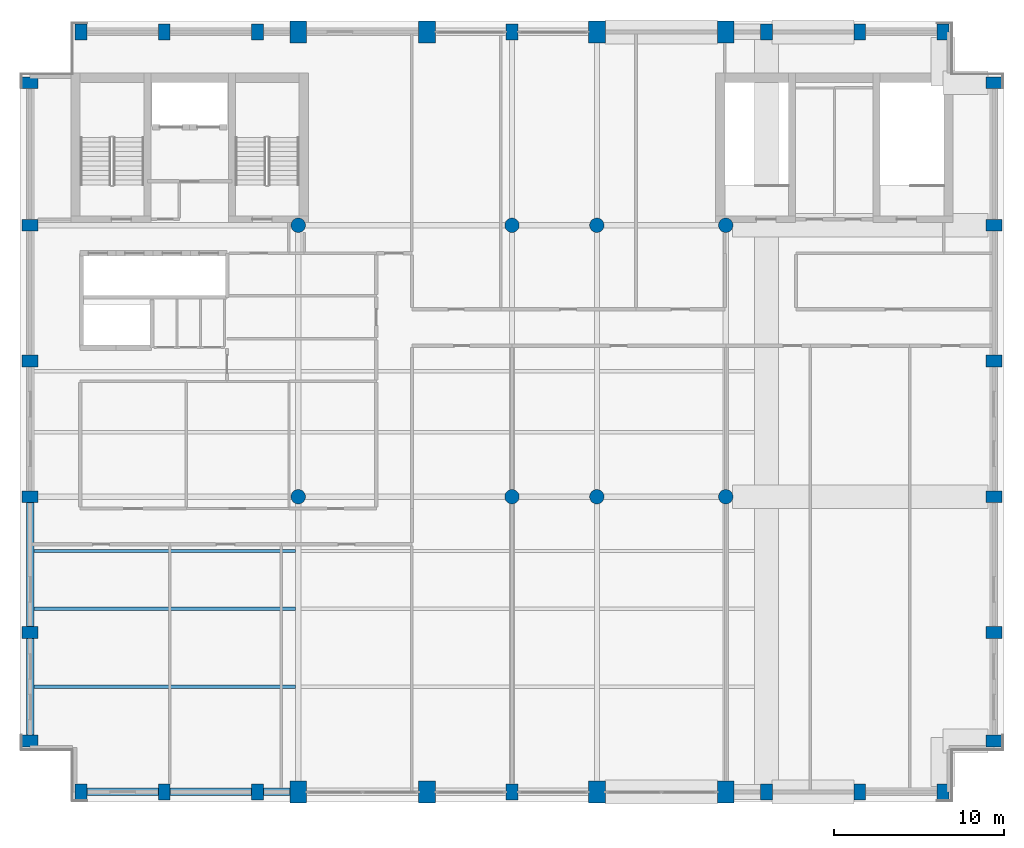
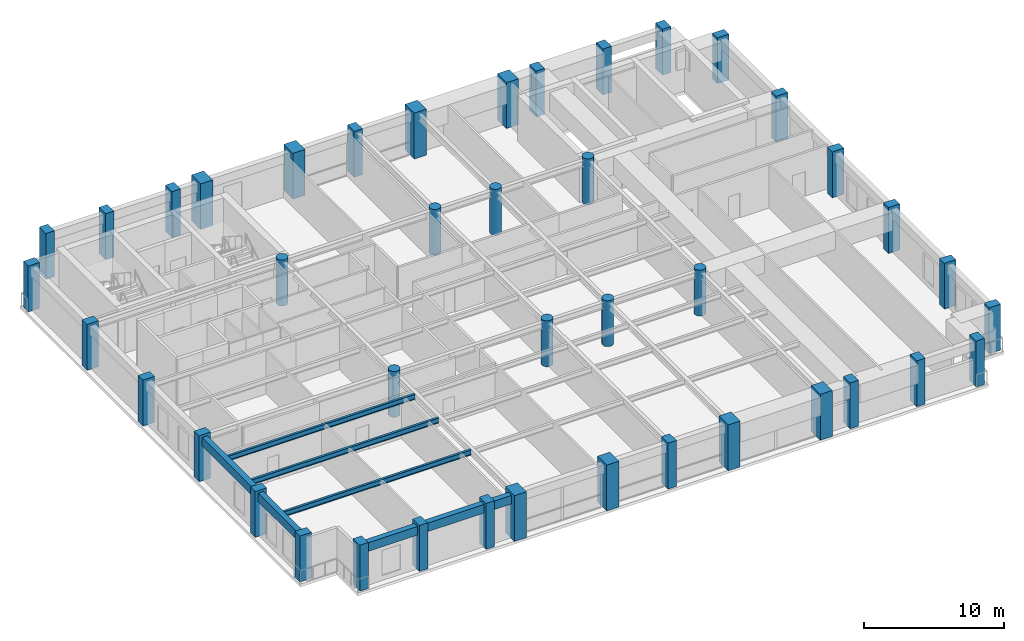
# One storey, part 1 of 14: 42 columns, 8 beams.
"""IFC4 building model written with IfcOpenShell, lengths in metres."""

import ifcopenshell
import ifcopenshell.guid

model = None  # the IFC model being written
_history = None  # IfcOwnerHistory: only IFC2X3 demands one
_inside = {}  # id of a spatial element -> (the spatial element, [elements in it])
_under = {}  # id of a project, library or spatial element -> (it, [spatial elements below it])
_declared = {}  # id of a project -> (the project, [libraries it declares])
_typed = {}  # id of a type object -> (the type object, [elements of that type])
_made_of = {}  # id of a material, layer set ... -> (it, [elements and type objects made of it])


def new_model(schema):
    """Start an empty IFC model of exactly this schema.

    Asked for "IFC4X3", IfcOpenShell would pick the latest addendum, in which some entities
    have other attributes; the version numbers below select the first issue.
    IFC2X3 requires an IfcOwnerHistory on every rooted entity: one is made here for all.
    """
    global model, _history
    if schema == "IFC4X3":
        model = ifcopenshell.file(schema_version=(4, 3, 0, 0))
    else:
        model = ifcopenshell.file(schema=schema)
    _inside.clear()
    _under.clear()
    _declared.clear()
    _typed.clear()
    _made_of.clear()
    _history = None
    if model.schema == "IFC2X3":
        org = make("IfcOrganization", Name="unknown")
        user = make(
            "IfcPersonAndOrganization",
            ThePerson=make("IfcPerson", FamilyName="unknown"),
            TheOrganization=org,
        )
        app = make(
            "IfcApplication",
            ApplicationDeveloper=org,
            Version="unknown",
            ApplicationFullName="unknown",
            ApplicationIdentifier="unknown",
        )
        _history = make(
            "IfcOwnerHistory",
            OwningUser=user,
            OwningApplication=app,
            ChangeAction="ADDED",
            CreationDate=0,
        )
    return model


def make(cls, **values):
    """One entity of the class cls with the attributes given. An attribute that is None is left unset."""
    return model.create_entity(
        cls, **{name: value for name, value in values.items() if value is not None}
    )


def rooted(cls, **values):
    """An entity with a GlobalId (a new one), such as an element, a storey or a relation."""
    return make(cls, GlobalId=ifcopenshell.guid.new(), OwnerHistory=_history, **values)


def si_unit(unit_type, name, prefix=None):
    """IfcSIUnit, for example si_unit("LENGTHUNIT", "METRE", prefix="MILLI")."""
    return make("IfcSIUnit", UnitType=unit_type, Prefix=prefix, Name=name)


def assignment(units):
    """IfcUnitAssignment: the units of a project."""
    return None if units is None else make("IfcUnitAssignment", Units=units)


def point(xyz):
    """IfcCartesianPoint."""
    return None if xyz is None else make("IfcCartesianPoint", Coordinates=xyz)


def direction(xyz):
    """IfcDirection."""
    return None if xyz is None else make("IfcDirection", DirectionRatios=xyz)


def frame(location, z_axis=None, x_axis=None):
    """IfcAxis2Placement3D, a coordinate frame: its origin and axes. An axis left out is left unset."""
    return make(
        "IfcAxis2Placement3D",
        Location=point(location),
        Axis=direction(z_axis),
        RefDirection=direction(x_axis),
    )


def frame_2d(location, x_axis=None):
    """IfcAxis2Placement2D, a coordinate frame in the plane: its origin and x axis."""
    return make(
        "IfcAxis2Placement2D", Location=point(location), RefDirection=direction(x_axis)
    )


def origin():
    """The frame at (0, 0, 0) with its axes left unset."""
    return frame((0.0, 0.0, 0.0))


def origin_2d():
    """The frame at (0, 0) in the plane with its x axis left unset."""
    return frame_2d((0.0, 0.0))


def place(relative_to, where):
    """IfcLocalPlacement: puts the frame where relative to a parent placement (None: the world)."""
    return make(
        "IfcLocalPlacement", PlacementRelTo=relative_to, RelativePlacement=where
    )


def context(
    kind, dimensions, precision=None, world=None, true_north=None, identifier=None
):
    """IfcGeometricRepresentationContext, for example the 3D "Model" context."""
    return make(
        "IfcGeometricRepresentationContext",
        ContextIdentifier=identifier,
        ContextType=kind,
        CoordinateSpaceDimension=dimensions,
        Precision=precision,
        WorldCoordinateSystem=world,
        TrueNorth=true_north,
    )


def subcontext(parent, identifier, kind, view, scale=None):
    """IfcGeometricRepresentationSubContext, for example "Body" below "Model"."""
    return make(
        "IfcGeometricRepresentationSubContext",
        ContextIdentifier=identifier,
        ContextType=kind,
        ParentContext=parent,
        TargetScale=scale,
        TargetView=view,
    )


def project(units=None, contexts=None):
    """IfcProject with its units and contexts."""
    return rooted(
        "IfcProject",
        Name="project",
        RepresentationContexts=contexts,
        UnitsInContext=assignment(units),
    )


def spatial(cls, under=None, at=None, **own):
    """A site, building, storey or space (cls), placed at a placement, below another one or the project."""
    s = rooted(cls, ObjectPlacement=at, **own)
    if under is not None:
        _under.setdefault(under.id(), (under, []))[1].append(s)
    return s


def profile(cls, at=None, kind="AREA", **sizes):
    """A parametric profile (cls). Its sizes go by their IFC names, for example OverallWidth=200.0."""
    return make(cls, ProfileType=kind, Position=at, **sizes)


def rectangle(**sizes):
    """IfcRectangleProfileDef."""
    return profile("IfcRectangleProfileDef", **sizes)


def circle(**sizes):
    """IfcCircleProfileDef."""
    return profile("IfcCircleProfileDef", **sizes)


def i_section(**sizes):
    """IfcIShapeProfileDef."""
    return profile("IfcIShapeProfileDef", **sizes)


def extrude(swept, where, along, depth):
    """IfcExtrudedAreaSolid: the profile swept, set in the frame where, extruded along a direction by depth."""
    return make(
        "IfcExtrudedAreaSolid",
        SweptArea=swept,
        Position=where,
        ExtrudedDirection=direction(along),
        Depth=depth,
    )


def shape(context_of_items, identifier, shape_type, items):
    """IfcShapeRepresentation: the items that make up one representation, for example the "Body"."""
    return make(
        "IfcShapeRepresentation",
        ContextOfItems=context_of_items,
        RepresentationIdentifier=identifier,
        RepresentationType=shape_type,
        Items=items,
    )


def material(Name=None, Category=None):
    """IfcMaterial."""
    return make("IfcMaterial", Name=Name, Category=Category)


def material_profile(
    of_material, cross_section, Name=None, Category=None, Priority=None
):
    """IfcMaterialProfile: a cross section and its material."""
    return make(
        "IfcMaterialProfile",
        Name=Name,
        Material=of_material,
        Profile=cross_section,
        Priority=Priority,
        Category=Category,
    )


def profile_set(profiles, Name=None, composite=None):
    """IfcMaterialProfileSet."""
    return make(
        "IfcMaterialProfileSet",
        Name=Name,
        MaterialProfiles=profiles,
        CompositeProfile=composite,
    )


def made_of(thing, what):
    """Note that an element or type object is made of a material, layer set ...; save() writes the relation."""
    if what is not None:
        _made_of.setdefault(what.id(), (what, []))[1].append(thing)
    return thing


def type_object(cls, material=None, **own):
    """A type object (cls), such as IfcWallType, which elements share."""
    return made_of(rooted(cls, **own), material)


def element(
    cls,
    number,
    at=None,
    inside=None,
    cuts=None,
    type_object=None,
    material=None,
    context=None,
    identifier="Body",
    shape_type=None,
    held_by="IfcProductDefinitionShape",
    body=None,
    shapes=None,
    **own,
):
    """One element of the class cls, such as IfcWall. Its Tag is "e" and its number.

    at: its placement. inside: the storey or other place that contains it. cuts: it is an
    opening in that element (IfcRelVoidsElement). A single representation is given by context,
    identifier, shape_type and body (its items); several are given by shapes. held_by: the class
    of the entity that holds the representations. save() writes the other relations.
    """
    e = rooted(cls, Tag="e%d" % number, ObjectPlacement=at, **own)
    if body is not None:
        shapes = [shape(context, identifier, shape_type, body)]
    if shapes is not None:
        e.Representation = make(held_by, Representations=shapes)
    if inside is not None:
        _inside.setdefault(inside.id(), (inside, []))[1].append(e)
    if cuts is not None:
        rooted(
            "IfcRelVoidsElement", RelatingBuildingElement=cuts, RelatedOpeningElement=e
        )
    if type_object is not None:
        _typed.setdefault(type_object.id(), (type_object, []))[1].append(e)
    return made_of(e, material)


def aggregate(whole, parts):
    """IfcRelAggregates: a whole, such as a stair, and the parts it consists of."""
    return rooted("IfcRelAggregates", RelatingObject=whole, RelatedObjects=parts)


def save(model, path):
    """Write the relations noted so far, then the file.

    IfcRelAggregates (storeys below a building ...), IfcRelContainedInSpatialStructure (elements
    in a storey), IfcRelDefinesByType, IfcRelAssociatesMaterial and IfcRelDeclares: one each for
    every whole, place, type object, material and project.
    """
    for whole, parts in _under.values():
        aggregate(whole, parts)
    for where, things in _inside.values():
        rooted(
            "IfcRelContainedInSpatialStructure",
            RelatedElements=things,
            RelatingStructure=where,
        )
    for kind, things in _typed.values():
        rooted("IfcRelDefinesByType", RelatedObjects=things, RelatingType=kind)
    for what, things in _made_of.values():
        rooted("IfcRelAssociatesMaterial", RelatedObjects=things, RelatingMaterial=what)
    for by, libraries in _declared.values():
        rooted("IfcRelDeclares", RelatingContext=by, RelatedDefinitions=libraries)
    model.write(path)


model = new_model("IFC4")

# Units and contexts
model_context = context("Model", 3, precision=1e-05, world=origin(), true_north=direction((0.0, 1.0)))
body_context = subcontext(model_context, "Body", "Model", "MODEL_VIEW")
ifc_project = project(units=[si_unit("LENGTHUNIT", "METRE"), si_unit("AREAUNIT", "SQUARE_METRE"), si_unit("VOLUMEUNIT", "CUBIC_METRE"), si_unit("PLANEANGLEUNIT", "RADIAN"), si_unit("MASSUNIT", "GRAM", prefix="KILO")], contexts=[model_context])

# Site, building, storey
site_placement = place(None, origin())
site = spatial("IfcSite", under=ifc_project, at=site_placement, CompositionType="ELEMENT")
building_placement = place(site_placement, origin())
building = spatial("IfcBuilding", under=site, at=building_placement, Name="Sulina Concourse Tower", CompositionType="ELEMENT")
storey_placement = place(building_placement, frame((0.0, 0.0, 285.0)))
storey = spatial("IfcBuildingStorey", under=building, at=storey_placement, Name="L69", CompositionType="ELEMENT", Elevation=285.0)

# Columns
ifc_material_1 = material(Name="Precast concrete C50/60", Category="concrete")
ifc_material_profile_1 = material_profile(ifc_material_1, rectangle(XDim=0.699951171875, YDim=0.949951171875, at=origin_2d()), Name="PC 700x950")
ifc_profile_set_1 = profile_set([ifc_material_profile_1], Name="Precast concrete C50/60")
column_type_1 = type_object("IfcColumnType", Name="Precast Tube Pier Zone 5 700x950", PredefinedType="COLUMN", material=ifc_profile_set_1)
for number, where, z_axis, x_axis, name in (
    (1, (3.60009765625, 0.60009765625, 0.0), (0.0, 0.0, 1.0), (1.0, 0.0, 0.0), "L69 structural column TP-S-36"),
    (2, (3.60009765625, 45.39990234375, 0.0), (0.0, 0.0, 1.0), (1.0, 0.0, 0.0), "L69 structural column TP-N-36"),
    (3, (8.5, 0.60009765625, 0.0), (0.0, 0.0, 1.0), (1.0, 0.0, 0.0), "L69 structural column TP-S-85"),
    (4, (8.5, 45.39990234375, 0.0), (0.0, 0.0, 1.0), (1.0, 0.0, 0.0), "L69 structural column TP-N-85"),
    (5, (14.0, 0.60009765625, 0.0), (0.0, 0.0, 1.0), (1.0, 0.0, 0.0), "L69 structural column TP-S-140"),
    (6, (14.0, 45.39990234375, 0.0), (0.0, 0.0, 1.0), (1.0, 0.0, 0.0), "L69 structural column TP-N-140"),
    (7, (29.0, 0.60009765625, 0.0), (0.0, 0.0, 1.0), (1.0, 0.0, 0.0), "L69 structural column TP-S-290"),
    (8, (29.0, 45.39990234375, 0.0), (0.0, 0.0, 1.0), (1.0, 0.0, 0.0), "L69 structural column TP-N-290"),
    (9, (44.0, 0.60009765625, 0.0), (0.0, 0.0, 1.0), (1.0, 0.0, 0.0), "L69 structural column TP-S-440"),
    (10, (44.0, 45.39990234375, 0.0), (0.0, 0.0, 1.0), (1.0, 0.0, 0.0), "L69 structural column TP-N-440"),
    (11, (49.5, 0.60009765625, 0.0), (0.0, 0.0, 1.0), (1.0, 0.0, 0.0), "L69 structural column TP-S-495"),
    (12, (49.5, 45.39990234375, 0.0), (0.0, 0.0, 1.0), (1.0, 0.0, 0.0), "L69 structural column TP-N-495"),
    (13, (54.39990234375, 0.60009765625, 0.0), (0.0, 0.0, 1.0), (1.0, 0.0, 0.0), "L69 structural column TP-S-544"),
    (14, (54.39990234375, 45.39990234375, 0.0), (0.0, 0.0, 1.0), (1.0, 0.0, 0.0), "L69 structural column TP-N-544"),
    (15, (0.60009765625, 3.60009765625, 0.0), (0.0, 0.0, 1.0), (0.0, 1.0, 0.0), "L69 structural column TP-W-36"),
    (16, (57.39990234375, 3.60009765625, 0.0), (0.0, 0.0, 1.0), (0.0, 1.0, 0.0), "L69 structural column TP-E-36"),
    (17, (0.60009765625, 10.0, 0.0), (0.0, 0.0, 1.0), (0.0, 1.0, 0.0), "L69 structural column TP-W-100"),
    (18, (57.39990234375, 10.0, 0.0), (0.0, 0.0, 1.0), (0.0, 1.0, 0.0), "L69 structural column TP-E-100"),
    (19, (0.60009765625, 18.0, 0.0), (0.0, 0.0, 1.0), (0.0, 1.0, 0.0), "L69 structural column TP-W-180"),
    (20, (57.39990234375, 18.0, 0.0), (0.0, 0.0, 1.0), (0.0, 1.0, 0.0), "L69 structural column TP-E-180"),
    (21, (0.60009765625, 26.0, 0.0), (0.0, 0.0, 1.0), (0.0, 1.0, 0.0), "L69 structural column TP-W-260"),
    (22, (57.39990234375, 26.0, 0.0), (0.0, 0.0, 1.0), (0.0, 1.0, 0.0), "L69 structural column TP-E-260"),
    (23, (0.60009765625, 34.0, 0.0), (0.0, 0.0, 1.0), (0.0, 1.0, 0.0), "L69 structural column TP-W-340"),
    (24, (57.39990234375, 34.0, 0.0), (0.0, 0.0, 1.0), (0.0, 1.0, 0.0), "L69 structural column TP-E-340"),
    (25, (0.60009765625, 42.39990234375, 0.0), (0.0, 0.0, 1.0), (0.0, 1.0, 0.0), "L69 structural column TP-W-424"),
    (26, (57.39990234375, 42.39990234375, 0.0), (0.0, 0.0, 1.0), (0.0, 1.0, 0.0), "L69 structural column TP-E-424"),
):
    element("IfcColumn", number, at=place(storey_placement, frame(where, z_axis=z_axis, x_axis=x_axis)), inside=storey, type_object=column_type_1, Name=name, PredefinedType="COLUMN", context=body_context, shape_type="SweptSolid", body=[
        extrude(rectangle(XDim=0.699951171875, YDim=0.949951171875, at=origin_2d()), origin(), (0.0, 0.0, 1.0), 4.0),
    ])
ifc_material_2 = material(Name="Concrete C50/60", Category="concrete")
ifc_material_profile_2 = material_profile(ifc_material_2, circle(Radius=0.425048828125, at=origin_2d()), Name="RC D850")
ifc_profile_set_2 = profile_set([ifc_material_profile_2], Name="Concrete C50/60")
column_type_2 = type_object("IfcColumnType", Name="Upper Interior Circular Column D850", PredefinedType="COLUMN", material=ifc_profile_set_2)
for number, where, z_axis, x_axis, name in (
    (27, (16.39990234375, 18.0, 0.0), (0.0, 0.0, 1.0), (1.0, 0.0, 0.0), "L69 structural column IC-M-164"),
    (28, (16.39990234375, 34.0, 0.0), (0.0, 0.0, 1.0), (1.0, 0.0, 0.0), "L69 structural column IC-N-164"),
    (29, (29.0, 18.0, 0.0), (0.0, 0.0, 1.0), (1.0, 0.0, 0.0), "L69 structural column IC-M-290"),
    (30, (29.0, 34.0, 0.0), (0.0, 0.0, 1.0), (1.0, 0.0, 0.0), "L69 structural column IC-N-290"),
    (31, (41.60009765625, 18.0, 0.0), (0.0, 0.0, 1.0), (1.0, 0.0, 0.0), "L69 structural column IC-M-416"),
    (32, (41.60009765625, 34.0, 0.0), (0.0, 0.0, 1.0), (1.0, 0.0, 0.0), "L69 structural column IC-N-416"),
    (33, (34.0, 18.0, 0.0), (0.0, 0.0, 1.0), (1.0, 0.0, 0.0), "L69 structural column IC-M-340"),
    (34, (34.0, 34.0, 0.0), (0.0, 0.0, 1.0), (1.0, 0.0, 0.0), "L69 structural column IC-N-340"),
):
    element("IfcColumn", number, at=place(storey_placement, frame(where, z_axis=z_axis, x_axis=x_axis)), inside=storey, type_object=column_type_2, Name=name, PredefinedType="COLUMN", context=body_context, shape_type="SweptSolid", body=[
        extrude(circle(Radius=0.425048828125, at=origin_2d()), origin(), (0.0, 0.0, 1.0), 4.0),
    ])
ifc_material_3 = material(Name="Concrete C60/75", Category="concrete")
ifc_material_profile_3 = material_profile(ifc_material_3, rectangle(XDim=1.0, YDim=1.300048828125, at=origin_2d()), Name="RC 1000x1300")
ifc_profile_set_3 = profile_set([ifc_material_profile_3], Name="Concrete C60/75")
column_type_3 = type_object("IfcColumnType", Name="Upper Portal Column 1000x1300", PredefinedType="COLUMN", material=ifc_profile_set_3)
for number, where, z_axis, x_axis, name in (
    (35, (16.39990234375, 0.60009765625, 0.0), (0.0, 0.0, 1.0), (1.0, 0.0, 0.0), "L69 structural column TP-S-164"),
    (36, (16.39990234375, 45.39990234375, 0.0), (0.0, 0.0, 1.0), (1.0, 0.0, 0.0), "L69 structural column TP-N-164"),
    (37, (24.0, 0.60009765625, 0.0), (0.0, 0.0, 1.0), (1.0, 0.0, 0.0), "L69 structural column TP-S-240"),
    (38, (24.0, 45.39990234375, 0.0), (0.0, 0.0, 1.0), (1.0, 0.0, 0.0), "L69 structural column TP-N-240"),
    (39, (34.0, 0.60009765625, 0.0), (0.0, 0.0, 1.0), (1.0, 0.0, 0.0), "L69 structural column TP-S-340"),
    (40, (34.0, 45.39990234375, 0.0), (0.0, 0.0, 1.0), (1.0, 0.0, 0.0), "L69 structural column TP-N-340"),
    (41, (41.60009765625, 0.60009765625, 0.0), (0.0, 0.0, 1.0), (1.0, 0.0, 0.0), "L69 structural column TP-S-416"),
    (42, (41.60009765625, 45.39990234375, 0.0), (0.0, 0.0, 1.0), (1.0, 0.0, 0.0), "L69 structural column TP-N-416"),
):
    element("IfcColumn", number, at=place(storey_placement, frame(where, z_axis=z_axis, x_axis=x_axis)), inside=storey, type_object=column_type_3, Name=name, PredefinedType="COLUMN", context=body_context, shape_type="SweptSolid", body=[
        extrude(rectangle(XDim=1.0, YDim=1.300048828125, at=origin_2d()), origin(), (0.0, 0.0, 1.0), 4.0),
    ])

# Beams
ifc_material_4 = material(Name="Steel S355", Category="steel")
ifc_material_profile_4 = material_profile(ifc_material_4, i_section(OverallWidth=0.18994140625, OverallDepth=0.449951171875, WebThickness=0.009521484375, FlangeThickness=0.0146484375, at=origin_2d()), Name="IPE 450")
ifc_profile_set_4 = profile_set([ifc_material_profile_4], Name="Steel S355")
beam_type_1 = type_object("IfcBeamType", Name="Composite Floor Joist IPE450", PredefinedType="JOIST", material=ifc_profile_set_4)
for number, where, z_axis, x_axis, name in (
    (43, (0.824951171875, 6.800048828125, 3.550048828125), (1.0, 0.0, 0.0), (0.0, 1.0, 0.0), "FJ-J06-1-L69"),
    (44, (0.824951171875, 11.39990234375, 3.550048828125), (1.0, 0.0, 0.0), (0.0, 1.0, 0.0), "FJ-J11-1-L69"),
    (45, (0.824951171875, 14.800048828125, 3.550048828125), (1.0, 0.0, 0.0), (0.0, 1.0, 0.0), "FJ-J15-1-L69"),
):
    element("IfcBeam", number, at=place(storey_placement, frame(where, z_axis=z_axis, x_axis=x_axis)), inside=storey, type_object=beam_type_1, Name=name, PredefinedType="JOIST", context=body_context, shape_type="SweptSolid", body=[
        extrude(i_section(OverallWidth=0.18994140625, OverallDepth=0.449951171875, WebThickness=0.009521484375, FlangeThickness=0.0146484375, at=origin_2d()), origin(), (0.0, 0.0, 1.0), 15.425048828125),
    ])
ifc_material_5 = material(Name="Precast concrete C50/60", Category="concrete")
ifc_material_profile_5 = material_profile(ifc_material_5, rectangle(XDim=0.449951171875, YDim=0.75, at=origin_2d()), Name="RC 450x750")
ifc_profile_set_5 = profile_set([ifc_material_profile_5], Name="Precast concrete C50/60")
beam_type_2 = type_object("IfcBeamType", Name="Upper Precast Spandrel Edge Beam 450x750", PredefinedType="BEAM", material=ifc_profile_set_5)
beam_1_placement = place(storey_placement, frame((3.929931640625, 0.60009765625, 3.39990234375), z_axis=(1.0, 0.0, 0.0), x_axis=(0.0, 1.0, 0.0)))
element("IfcBeam", 46, at=beam_1_placement, inside=storey, type_object=beam_type_2, Name="SP-S1-L69", PredefinedType="BEAM", context=body_context, shape_type="SweptSolid", body=[
    extrude(rectangle(XDim=0.449951171875, YDim=0.75, at=origin_2d()), origin(), (0.0, 0.0, 1.0), 4.239990234375),
])
beam_2_placement = place(storey_placement, frame((8.830078125, 0.60009765625, 3.39990234375), z_axis=(1.0, 0.0, 0.0), x_axis=(0.0, 1.0, 0.0)))
element("IfcBeam", 47, at=beam_2_placement, inside=storey, type_object=beam_type_2, Name="SP-S2-L69", PredefinedType="BEAM", context=body_context, shape_type="SweptSolid", body=[
    extrude(rectangle(XDim=0.449951171875, YDim=0.75, at=origin_2d()), origin(), (0.0, 0.0, 1.0), 4.83984375),
])
beam_3_placement = place(storey_placement, frame((14.330078125, 0.60009765625, 3.39990234375), z_axis=(1.0, 0.0, 0.0), x_axis=(0.0, 1.0, 0.0)))
element("IfcBeam", 48, at=beam_3_placement, inside=storey, type_object=beam_type_2, Name="SP-S3-L69", PredefinedType="BEAM", context=body_context, shape_type="SweptSolid", body=[
    extrude(rectangle(XDim=0.449951171875, YDim=0.75, at=origin_2d()), origin(), (0.0, 0.0, 1.0), 1.58984375),
])
beam_4_placement = place(storey_placement, frame((0.60009765625, 3.929931640625, 3.39990234375), z_axis=(0.0, 1.0, 0.0), x_axis=(-1.0, 0.0, 0.0)))
element("IfcBeam", 49, at=beam_4_placement, inside=storey, type_object=beam_type_2, Name="SP-W1-L69", PredefinedType="BEAM", context=body_context, shape_type="SweptSolid", body=[
    extrude(rectangle(XDim=0.449951171875, YDim=0.75, at=origin_2d()), origin(), (0.0, 0.0, 1.0), 5.739990234375),
])
beam_5_placement = place(storey_placement, frame((0.60009765625, 10.330078125, 3.39990234375), z_axis=(0.0, 1.0, 0.0), x_axis=(-1.0, 0.0, 0.0)))
element("IfcBeam", 50, at=beam_5_placement, inside=storey, type_object=beam_type_2, Name="SP-W2-L69", PredefinedType="BEAM", context=body_context, shape_type="SweptSolid", body=[
    extrude(rectangle(XDim=0.449951171875, YDim=0.75, at=origin_2d()), origin(), (0.0, 0.0, 1.0), 7.33984375),
])

save(model, "model.ifc")
